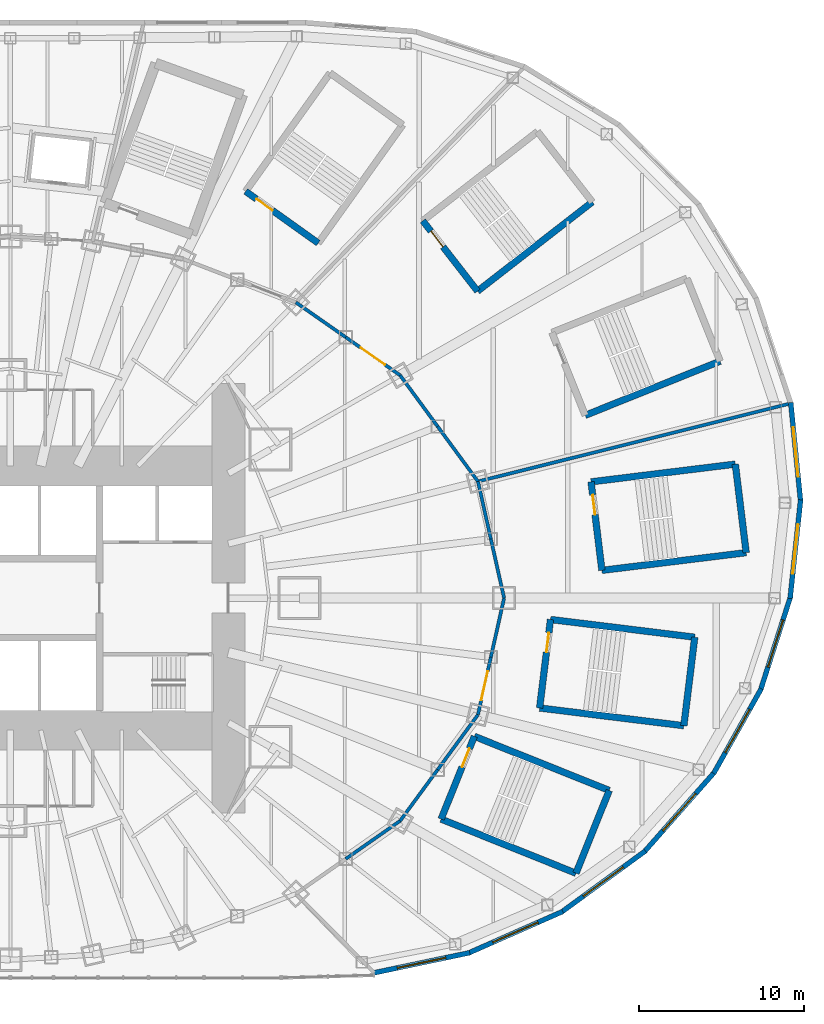
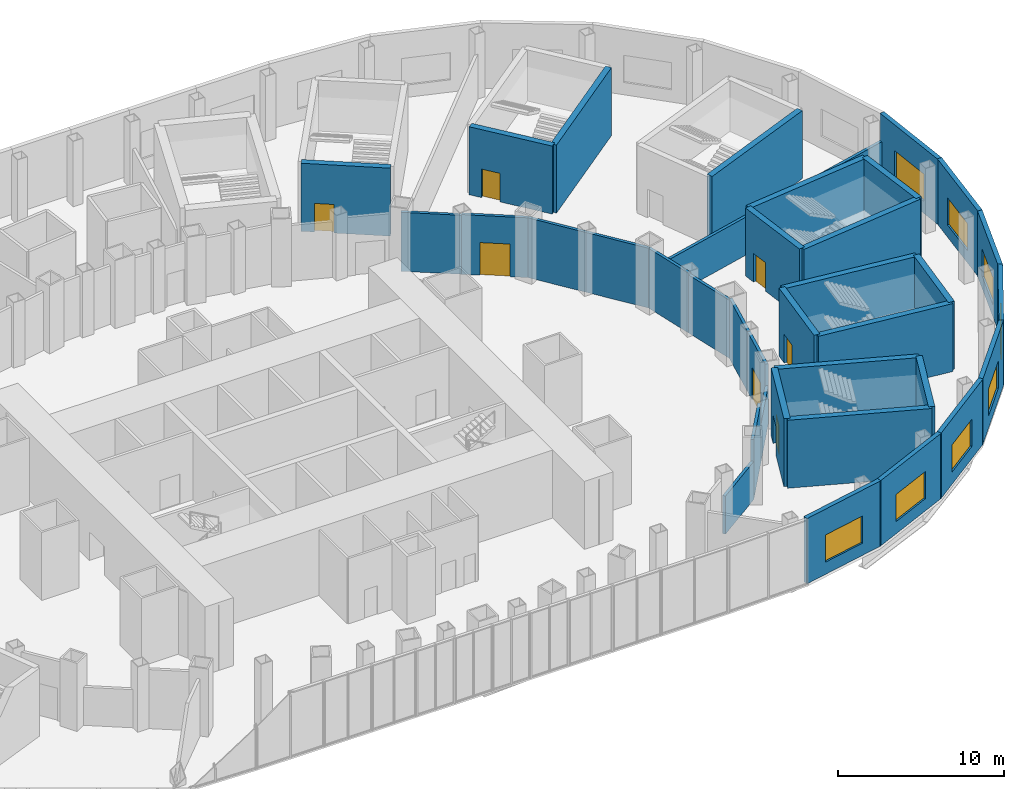
# One storey, part 17 of 73: 36 walls, 8 windows, 7 doors, 15 openings.
"""IFC4 building model written with IfcOpenShell, lengths in metres."""

from ifc_helpers import new_model, si_unit, direction, frame, frame_2d, origin, place, context, subcontext, project, spatial, rectangle, extrude, material, layer, layer_set, type_object, element, fill, save


model = new_model("IFC4")

# Units and contexts
model_context = context("Model", 3, precision=1e-05, world=origin(), true_north=direction((0.0, 1.0)))
body_context = subcontext(model_context, "Body", "Model", "MODEL_VIEW")
ifc_project = project(units=[si_unit("LENGTHUNIT", "METRE"), si_unit("AREAUNIT", "SQUARE_METRE"), si_unit("VOLUMEUNIT", "CUBIC_METRE"), si_unit("PLANEANGLEUNIT", "RADIAN"), si_unit("MASSUNIT", "GRAM", prefix="KILO")], contexts=[model_context])

# Site, building, storey
site_placement = place(None, origin())
site = spatial("IfcSite", under=ifc_project, at=site_placement, CompositionType="ELEMENT")
building_placement = place(site_placement, origin())
building = spatial("IfcBuilding", under=site, at=building_placement, Name="Lantaw Convention Tower", CompositionType="ELEMENT")
storey_placement = place(building_placement, frame((0.0, 0.0, 27.0)))
storey = spatial("IfcBuildingStorey", under=building, at=storey_placement, Name="L04", CompositionType="ELEMENT", Elevation=27.0)

# Wall, opening, window
ifc_material_1 = material(Name="Precast concrete panel, pale aluminium rainscreen", Category="concrete")
ifc_layer_1 = layer(ifc_material_1, 0.300048828125)
ifc_layer_set_1 = layer_set([ifc_layer_1], Name="Podium external wall 300")
wall_type_1 = type_object("IfcWallType", Name="Podium external wall 300", PredefinedType="SOLIDWALL", material=ifc_layer_set_1)
wall_1_placement = place(storey_placement, frame((47.21923828125, -0.02392578125, 0.0), z_axis=(0.0, 0.0, 1.0), x_axis=(0.105835648981, 0.99438363593, 0.0)))
wall_1 = element("IfcWall", 1, at=wall_1_placement, inside=storey, type_object=wall_type_1, Name="Podium facade wall", PredefinedType="SOLIDWALL", context=body_context, shape_type="SweptSolid", body=[
    extrude(rectangle(XDim=6.0068359375, YDim=0.300048828125, at=frame_2d((3.00341796875, 0.0))), origin(), (0.0, 0.0, 1.0), 4.800048828125),
])
opening_1_placement = place(wall_1_placement, frame((1.50341796875, 0.0, 0.89990234375)))
opening_1 = element("IfcOpeningElement", 2, at=opening_1_placement, cuts=wall_1, Name="Opening W3", PredefinedType="OPENING", context=body_context, shape_type="SweptSolid", body=[
    extrude(rectangle(XDim=3.0, YDim=2.0, at=frame_2d((1.5, 1.0))), frame((0.0, 0.159912109375, 0.0), z_axis=(0.0, -1.0, 0.0), x_axis=(1.0, 0.0, 0.0)), (0.0, 0.0, 1.0), 0.320068359375),
])
ifc_material_2 = material(Name="Aluminium frame, clear insulating glass", Category="aluminium")
window_type = type_object("IfcWindowType", Name="Podium window 3000x2000", PartitioningType="DOUBLE_PANEL_VERTICAL", PredefinedType="WINDOW", material=ifc_material_2)
window_1_placement = place(opening_1_placement, origin())
window_1 = element("IfcWindow", 3, at=window_1_placement, inside=storey, type_object=window_type, Name="Podium window", OverallHeight=2.0, OverallWidth=3.0, PartitioningType="SINGLE_PANEL", PredefinedType="WINDOW", context=body_context, shape_type="SweptSolid", body=[
    extrude(rectangle(XDim=3.0, YDim=2.0, at=frame_2d((1.5, 1.0))), frame((0.0, 0.030029296875, 0.0), z_axis=(0.0, -1.0, 0.0), x_axis=(1.0, 0.0, 0.0)), (0.0, 0.0, 1.0), 0.06005859375),
])
fill(opening_1, window_1)

wall_2_placement = place(storey_placement, frame((47.8544921875, 5.8388671875, 0.0), z_axis=(0.0, 0.0, 1.0), x_axis=(-0.099051198898, 0.9950823383, 0.0)))
wall_2 = element("IfcWall", 4, at=wall_2_placement, inside=storey, type_object=wall_type_1, Name="Podium facade wall", PredefinedType="SOLIDWALL", context=body_context, shape_type="SweptSolid", body=[
    extrude(rectangle(XDim=6.036376953125, YDim=0.300048828125, at=frame_2d((3.01806640625, 0.0))), origin(), (0.0, 0.0, 1.0), 4.800048828125),
])
opening_2_placement = place(wall_2_placement, frame((1.51806640625, 0.0, 0.89990234375)))
opening_2 = element("IfcOpeningElement", 5, at=opening_2_placement, cuts=wall_2, Name="Opening W3", PredefinedType="OPENING", context=body_context, shape_type="SweptSolid", body=[
    extrude(rectangle(XDim=3.0, YDim=2.0, at=frame_2d((1.5, 1.0))), frame((0.0, 0.159912109375, 0.0), z_axis=(0.0, -1.0, 0.0), x_axis=(1.0, 0.0, 0.0)), (0.0, 0.0, 1.0), 0.320068359375),
])
window_2_placement = place(opening_2_placement, origin())
window_2 = element("IfcWindow", 6, at=window_2_placement, inside=storey, type_object=window_type, Name="Podium window", OverallHeight=2.0, OverallWidth=3.0, PartitioningType="SINGLE_PANEL", PredefinedType="WINDOW", context=body_context, shape_type="SweptSolid", body=[
    extrude(rectangle(XDim=3.0, YDim=2.0, at=frame_2d((1.5, 1.0))), frame((0.0, 0.030029296875, 0.0), z_axis=(0.0, -1.0, 0.0), x_axis=(1.0, 0.0, 0.0)), (0.0, 0.0, 1.0), 0.06005859375),
])
fill(opening_2, window_2)

wall_3_placement = place(storey_placement, frame((21.985107421875, -22.699951171875, 0.0), z_axis=(0.0, 0.0, 1.0), x_axis=(0.978625319268, 0.205651366364, 0.0)))
wall_3 = element("IfcWall", 7, at=wall_3_placement, inside=storey, type_object=wall_type_1, Name="Podium facade wall", PredefinedType="SOLIDWALL", context=body_context, shape_type="SweptSolid", body=[
    extrude(rectangle(XDim=5.9619140625, YDim=0.300048828125, at=frame_2d((2.98095703125, 0.0))), origin(), (0.0, 0.0, 1.0), 4.800048828125),
])
opening_3_placement = place(wall_3_placement, frame((1.48095703125, 0.0, 0.89990234375)))
opening_3 = element("IfcOpeningElement", 8, at=opening_3_placement, cuts=wall_3, Name="Opening W3", PredefinedType="OPENING", context=body_context, shape_type="SweptSolid", body=[
    extrude(rectangle(XDim=3.0, YDim=2.0, at=frame_2d((1.5, 1.0))), frame((0.0, 0.159912109375, 0.0), z_axis=(0.0, -1.0, 0.0), x_axis=(1.0, 0.0, 0.0)), (0.0, 0.0, 1.0), 0.320068359375),
])
window_3_placement = place(opening_3_placement, origin())
window_3 = element("IfcWindow", 9, at=window_3_placement, inside=storey, type_object=window_type, Name="Podium window", OverallHeight=2.0, OverallWidth=3.0, PartitioningType="SINGLE_PANEL", PredefinedType="WINDOW", context=body_context, shape_type="SweptSolid", body=[
    extrude(rectangle(XDim=3.0, YDim=2.0, at=frame_2d((1.5, 1.0))), frame((0.0, 0.030029296875, 0.0), z_axis=(0.0, -1.0, 0.0), x_axis=(1.0, 0.0, 0.0)), (0.0, 0.0, 1.0), 0.06005859375),
])
fill(opening_3, window_3)

wall_4_placement = place(storey_placement, frame((27.714111328125, -21.5078125, 0.0), z_axis=(0.0, 0.0, 1.0), x_axis=(0.914855209389, 0.403782052416, 0.0)))
wall_4 = element("IfcWall", 10, at=wall_4_placement, inside=storey, type_object=wall_type_1, Name="Podium facade wall", PredefinedType="SOLIDWALL", context=body_context, shape_type="SweptSolid", body=[
    extrude(rectangle(XDim=6.271240234375, YDim=0.300048828125, at=frame_2d((3.1357421875, 0.0))), origin(), (0.0, 0.0, 1.0), 4.800048828125),
])
opening_4_placement = place(wall_4_placement, frame((1.6357421875, 0.0, 0.89990234375)))
opening_4 = element("IfcOpeningElement", 11, at=opening_4_placement, cuts=wall_4, Name="Opening W3", PredefinedType="OPENING", context=body_context, shape_type="SweptSolid", body=[
    extrude(rectangle(XDim=3.0, YDim=2.0, at=frame_2d((1.5, 1.0))), frame((0.0, 0.159912109375, 0.0), z_axis=(0.0, -1.0, 0.0), x_axis=(1.0, 0.0, 0.0)), (0.0, 0.0, 1.0), 0.320068359375),
])
window_4_placement = place(opening_4_placement, origin())
window_4 = element("IfcWindow", 12, at=window_4_placement, inside=storey, type_object=window_type, Name="Podium window", OverallHeight=2.0, OverallWidth=3.0, PartitioningType="SINGLE_PANEL", PredefinedType="WINDOW", context=body_context, shape_type="SweptSolid", body=[
    extrude(rectangle(XDim=3.0, YDim=2.0, at=frame_2d((1.5, 1.0))), frame((0.0, 0.030029296875, 0.0), z_axis=(0.0, -1.0, 0.0), x_axis=(1.0, 0.0, 0.0)), (0.0, 0.0, 1.0), 0.06005859375),
])
fill(opening_4, window_4)

wall_5_placement = place(storey_placement, frame((33.354736328125, -19.03125, 0.0), z_axis=(0.0, 0.0, 1.0), x_axis=(0.807898511933, 0.589321639189, 0.0)))
wall_5 = element("IfcWall", 13, at=wall_5_placement, inside=storey, type_object=wall_type_1, Name="Podium facade wall", PredefinedType="SOLIDWALL", context=body_context, shape_type="SweptSolid", body=[
    extrude(rectangle(XDim=6.30859375, YDim=0.300048828125, at=frame_2d((3.154296875, 0.0))), origin(), (0.0, 0.0, 1.0), 4.800048828125),
])
opening_5_placement = place(wall_5_placement, frame((1.654296875, 0.0, 0.89990234375)))
opening_5 = element("IfcOpeningElement", 14, at=opening_5_placement, cuts=wall_5, Name="Opening W3", PredefinedType="OPENING", context=body_context, shape_type="SweptSolid", body=[
    extrude(rectangle(XDim=3.0, YDim=2.0, at=frame_2d((1.5, 1.0))), frame((0.0, 0.159912109375, 0.0), z_axis=(0.0, -1.0, 0.0), x_axis=(1.0, 0.0, 0.0)), (0.0, 0.0, 1.0), 0.320068359375),
])
window_5_placement = place(opening_5_placement, origin())
window_5 = element("IfcWindow", 15, at=window_5_placement, inside=storey, type_object=window_type, Name="Podium window", OverallHeight=2.0, OverallWidth=3.0, PartitioningType="SINGLE_PANEL", PredefinedType="WINDOW", context=body_context, shape_type="SweptSolid", body=[
    extrude(rectangle(XDim=3.0, YDim=2.0, at=frame_2d((1.5, 1.0))), frame((0.0, 0.030029296875, 0.0), z_axis=(0.0, -1.0, 0.0), x_axis=(1.0, 0.0, 0.0)), (0.0, 0.0, 1.0), 0.06005859375),
])
fill(opening_5, window_5)

wall_6_placement = place(storey_placement, frame((38.368408203125, -15.38916015625, 0.0), z_axis=(0.0, 0.0, 1.0), x_axis=(0.661196672464, 0.75021261008, 0.0)))
wall_6 = element("IfcWall", 16, at=wall_6_placement, inside=storey, type_object=wall_type_1, Name="Podium facade wall", PredefinedType="SOLIDWALL", context=body_context, shape_type="SweptSolid", body=[
    extrude(rectangle(XDim=6.48095703125, YDim=0.300048828125, at=frame_2d((3.240478515625, 0.0))), origin(), (0.0, 0.0, 1.0), 4.800048828125),
])
opening_6_placement = place(wall_6_placement, frame((1.740478515625, 0.0, 0.89990234375)))
opening_6 = element("IfcOpeningElement", 17, at=opening_6_placement, cuts=wall_6, Name="Opening W3", PredefinedType="OPENING", context=body_context, shape_type="SweptSolid", body=[
    extrude(rectangle(XDim=3.0, YDim=2.0, at=frame_2d((1.5, 1.0))), frame((0.0, 0.159912109375, 0.0), z_axis=(0.0, -1.0, 0.0), x_axis=(1.0, 0.0, 0.0)), (0.0, 0.0, 1.0), 0.320068359375),
])
window_6_placement = place(opening_6_placement, origin())
window_6 = element("IfcWindow", 18, at=window_6_placement, inside=storey, type_object=window_type, Name="Podium window", OverallHeight=2.0, OverallWidth=3.0, PartitioningType="SINGLE_PANEL", PredefinedType="WINDOW", context=body_context, shape_type="SweptSolid", body=[
    extrude(rectangle(XDim=3.0, YDim=2.0, at=frame_2d((1.5, 1.0))), frame((0.0, 0.030029296875, 0.0), z_axis=(0.0, -1.0, 0.0), x_axis=(1.0, 0.0, 0.0)), (0.0, 0.0, 1.0), 0.06005859375),
])
fill(opening_6, window_6)

wall_7_placement = place(storey_placement, frame((42.58935546875, -10.61767578125, 0.0), z_axis=(0.0, 0.0, 1.0), x_axis=(0.489563544979, 0.871967622924, 0.0)))
wall_7 = element("IfcWall", 19, at=wall_7_placement, inside=storey, type_object=wall_type_1, Name="Podium facade wall", PredefinedType="SOLIDWALL", context=body_context, shape_type="SweptSolid", body=[
    extrude(rectangle(XDim=5.882568359375, YDim=0.300048828125, at=frame_2d((2.94140625, 0.0))), origin(), (0.0, 0.0, 1.0), 4.800048828125),
])
opening_7_placement = place(wall_7_placement, frame((1.44140625, 0.0, 0.89990234375)))
opening_7 = element("IfcOpeningElement", 20, at=opening_7_placement, cuts=wall_7, Name="Opening W3", PredefinedType="OPENING", context=body_context, shape_type="SweptSolid", body=[
    extrude(rectangle(XDim=3.0, YDim=2.0, at=frame_2d((1.5, 1.0))), frame((0.0, 0.159912109375, 0.0), z_axis=(0.0, -1.0, 0.0), x_axis=(1.0, 0.0, 0.0)), (0.0, 0.0, 1.0), 0.320068359375),
])
window_7_placement = place(opening_7_placement, origin())
window_7 = element("IfcWindow", 21, at=window_7_placement, inside=storey, type_object=window_type, Name="Podium window", OverallHeight=2.0, OverallWidth=3.0, PartitioningType="SINGLE_PANEL", PredefinedType="WINDOW", context=body_context, shape_type="SweptSolid", body=[
    extrude(rectangle(XDim=3.0, YDim=2.0, at=frame_2d((1.5, 1.0))), frame((0.0, 0.030029296875, 0.0), z_axis=(0.0, -1.0, 0.0), x_axis=(1.0, 0.0, 0.0)), (0.0, 0.0, 1.0), 0.06005859375),
])
fill(opening_7, window_7)

wall_8_placement = place(storey_placement, frame((45.42529296875, -5.5888671875, 0.0), z_axis=(0.0, 0.0, 1.0), x_axis=(0.304991367091, 0.95235511549, 0.0)))
wall_8 = element("IfcWall", 22, at=wall_8_placement, inside=storey, type_object=wall_type_1, Name="Podium facade wall", PredefinedType="SOLIDWALL", context=body_context, shape_type="SweptSolid", body=[
    extrude(rectangle(XDim=5.956298828125, YDim=0.300048828125, at=frame_2d((2.97802734375, 0.0))), origin(), (0.0, 0.0, 1.0), 4.800048828125),
])
opening_8_placement = place(wall_8_placement, frame((1.478271484375, 0.0, 0.89990234375)))
opening_8 = element("IfcOpeningElement", 23, at=opening_8_placement, cuts=wall_8, Name="Opening W3", PredefinedType="OPENING", context=body_context, shape_type="SweptSolid", body=[
    extrude(rectangle(XDim=3.0, YDim=2.0, at=frame_2d((1.5, 1.0))), frame((0.0, 0.159912109375, 0.0), z_axis=(0.0, -1.0, 0.0), x_axis=(1.0, 0.0, 0.0)), (0.0, 0.0, 1.0), 0.320068359375),
])
window_8_placement = place(opening_8_placement, origin())
window_8 = element("IfcWindow", 24, at=window_8_placement, inside=storey, type_object=window_type, Name="Podium window", OverallHeight=2.0, OverallWidth=3.0, PartitioningType="SINGLE_PANEL", PredefinedType="WINDOW", context=body_context, shape_type="SweptSolid", body=[
    extrude(rectangle(XDim=3.0, YDim=2.0, at=frame_2d((1.5, 1.0))), frame((0.0, 0.030029296875, 0.0), z_axis=(0.0, -1.0, 0.0), x_axis=(1.0, 0.0, 0.0)), (0.0, 0.0, 1.0), 0.06005859375),
])
fill(opening_8, window_8)

# Walls
ifc_material_3 = material(Name="Concrete blockwork", Category="masonry")
ifc_layer_2 = layer(ifc_material_3, 0.199951171875)
ifc_layer_set_2 = layer_set([ifc_layer_2], Name="Podium partition 200")
wall_type_2 = type_object("IfcWallType", Name="Podium partition 200", PredefinedType="SOLIDWALL", material=ifc_layer_set_2)
wall_9_placement = place(storey_placement, frame((29.89990234375, 0.0, 0.0), z_axis=(0.0, 0.0, 1.0), x_axis=(-0.218631550323, 0.975807483679, 0.0)))
element("IfcWall", 25, at=wall_9_placement, inside=storey, type_object=wall_type_2, Name="Podium partition 200", PredefinedType="SOLIDWALL", context=body_context, shape_type="SweptSolid", body=[
    extrude(rectangle(XDim=3.66162109375, YDim=0.199951171875, at=frame_2d((1.830810546875, 0.0))), origin(), (0.0, 0.0, 1.0), 4.271728515625),
])
wall_10_placement = place(storey_placement, frame((29.099365234375, 3.572998046875, 0.0), z_axis=(0.0, 0.0, 1.0), x_axis=(-0.218673326171, 0.97579812278, 0.0)))
element("IfcWall", 26, at=wall_10_placement, inside=storey, type_object=wall_type_2, Name="Podium partition 200", PredefinedType="SOLIDWALL", context=body_context, shape_type="SweptSolid", body=[
    extrude(rectangle(XDim=3.57373046875, YDim=0.199951171875, at=frame_2d((1.786865234375, 0.0))), origin(), (0.0, 0.0, 1.0), 4.3935546875),
])
wall_11_placement = place(storey_placement, frame((28.31787109375, 7.060302734375, 0.0), z_axis=(0.0, 0.0, 1.0), x_axis=(-0.591255937291, 0.806483984105, 0.0)))
element("IfcWall", 27, at=wall_11_placement, inside=storey, type_object=wall_type_2, Name="Podium partition 200", PredefinedType="SOLIDWALL", context=body_context, shape_type="SweptSolid", body=[
    extrude(rectangle(XDim=4.126708984375, YDim=0.199951171875, at=frame_2d((2.0634765625, 0.0))), origin(), (0.0, 0.0, 1.0), 4.396240234375),
])
wall_12_placement = place(storey_placement, frame((25.8779296875, 10.388427734375, 0.0), z_axis=(0.0, 0.0, 1.0), x_axis=(-0.591286566758, 0.806461527893, 0.0)))
element("IfcWall", 28, at=wall_12_placement, inside=storey, type_object=wall_type_2, Name="Podium partition 200", PredefinedType="SOLIDWALL", context=body_context, shape_type="SweptSolid", body=[
    extrude(rectangle(XDim=3.843994140625, YDim=0.199951171875, at=frame_2d((1.921875, 0.0))), origin(), (0.0, 0.0, 1.0), 4.3935546875),
])

# Wall, opening, door
wall_13_placement = place(storey_placement, frame((23.60498046875, 13.488525390625, 0.0), z_axis=(0.0, 0.0, 1.0), x_axis=(-0.819442856133, 0.573160889744, 0.0)))
wall_13 = element("IfcWall", 29, at=wall_13_placement, inside=storey, type_object=wall_type_2, Name="Podium partition 200", PredefinedType="SOLIDWALL", context=body_context, shape_type="SweptSolid", body=[
    extrude(rectangle(XDim=4.022705078125, YDim=0.199951171875, at=frame_2d((2.01123046875, 0.0))), origin(), (0.0, 0.0, 1.0), 4.3935546875),
])
opening_9_placement = place(wall_13_placement, frame((1.111328125, 0.0, 0.0)))
opening_9 = element("IfcOpeningElement", 30, at=opening_9_placement, cuts=wall_13, Name="Opening L04.12", PredefinedType="OPENING", context=body_context, shape_type="SweptSolid", body=[
    extrude(rectangle(XDim=1.800048828125, YDim=2.39990234375, at=frame_2d((0.89990234375, 1.199951171875))), frame((0.0, 0.10986328125, 0.0), z_axis=(0.0, -1.0, 0.0), x_axis=(1.0, 0.0, 0.0)), (0.0, 0.0, 1.0), 0.219970703125),
])
ifc_material_4 = material(Name="Timber", Category="wood")
door_type_1 = type_object("IfcDoorType", Name="Hall double door 1800", OperationType="DOUBLE_DOOR_DOUBLE_SWING", PredefinedType="DOOR", material=ifc_material_4)
door_1_placement = place(opening_9_placement, origin())
door_1 = element("IfcDoor", 31, at=door_1_placement, inside=storey, type_object=door_type_1, Name="Convention office door", OperationType="DOUBLE_DOOR_DOUBLE_SWING", OverallHeight=2.39990234375, OverallWidth=1.800048828125, PredefinedType="DOOR", context=body_context, shape_type="SweptSolid", body=[
    extrude(rectangle(XDim=1.800048828125, YDim=2.39990234375, at=frame_2d((0.89990234375, 1.199951171875))), frame((0.0, 0.02490234375, 0.0), z_axis=(0.0, -1.0, 0.0), x_axis=(1.0, 0.0, 0.0)), (0.0, 0.0, 1.0), 0.050048828125),
])
fill(opening_9, door_1)

# Walls
wall_14_placement = place(storey_placement, frame((20.30859375, 15.794189453125, 0.0), z_axis=(0.0, 0.0, 1.0), x_axis=(-0.819409395821, 0.573208724672, 0.0)))
element("IfcWall", 32, at=wall_14_placement, inside=storey, type_object=wall_type_2, Name="Podium partition 200", PredefinedType="SOLIDWALL", context=body_context, shape_type="SweptSolid", body=[
    extrude(rectangle(XDim=3.682861328125, YDim=0.199951171875, at=frame_2d((1.84130859375, 0.0))), origin(), (0.0, 0.0, 1.0), 4.337646484375),
])
wall_15_placement = place(storey_placement, frame((20.308837890625, -15.794189453125, 0.0), z_axis=(0.0, 0.0, 1.0), x_axis=(0.81942291701, 0.57318939547, 0.0)))
element("IfcWall", 33, at=wall_15_placement, inside=storey, type_object=wall_type_2, Name="Podium partition 200", PredefinedType="SOLIDWALL", context=body_context, shape_type="SweptSolid", body=[
    extrude(rectangle(XDim=4.0224609375, YDim=0.199951171875, at=frame_2d((2.01123046875, 0.0))), origin(), (0.0, 0.0, 1.0), 2.800048828125),
])
wall_16_placement = place(storey_placement, frame((23.60498046875, -13.488525390625, 0.0), z_axis=(0.0, 0.0, 1.0), x_axis=(0.591286566758, 0.806461527893, 0.0)))
element("IfcWall", 34, at=wall_16_placement, inside=storey, type_object=wall_type_2, Name="Podium partition 200", PredefinedType="SOLIDWALL", context=body_context, shape_type="SweptSolid", body=[
    extrude(rectangle(XDim=3.843994140625, YDim=0.199951171875, at=frame_2d((1.921875, 0.0))), origin(), (0.0, 0.0, 1.0), 4.396240234375),
])
wall_17_placement = place(storey_placement, frame((25.8779296875, -10.388427734375, 0.0), z_axis=(0.0, 0.0, 1.0), x_axis=(0.591255937291, 0.806483984105, 0.0)))
element("IfcWall", 35, at=wall_17_placement, inside=storey, type_object=wall_type_2, Name="Podium partition 200", PredefinedType="SOLIDWALL", context=body_context, shape_type="SweptSolid", body=[
    extrude(rectangle(XDim=4.126708984375, YDim=0.199951171875, at=frame_2d((2.0634765625, 0.0))), origin(), (0.0, 0.0, 1.0), 2.800048828125),
])

# Wall, opening, door
wall_18_placement = place(storey_placement, frame((28.31787109375, -7.060302734375, 0.0), z_axis=(0.0, 0.0, 1.0), x_axis=(0.218673326171, 0.97579812278, 0.0)))
wall_18 = element("IfcWall", 36, at=wall_18_placement, inside=storey, type_object=wall_type_2, Name="Podium partition 200", PredefinedType="SOLIDWALL", context=body_context, shape_type="SweptSolid", body=[
    extrude(rectangle(XDim=3.57373046875, YDim=0.199951171875, at=frame_2d((1.786865234375, 0.0))), origin(), (0.0, 0.0, 1.0), 4.396240234375),
])
opening_10_placement = place(wall_18_placement, frame((0.886962890625, 0.0, 0.0)))
opening_10 = element("IfcOpeningElement", 37, at=opening_10_placement, cuts=wall_18, Name="Opening L04.11", PredefinedType="OPENING", context=body_context, shape_type="SweptSolid", body=[
    extrude(rectangle(XDim=1.800048828125, YDim=2.39990234375, at=frame_2d((0.89990234375, 1.199951171875))), frame((0.0, 0.10986328125, 0.0), z_axis=(0.0, -1.0, 0.0), x_axis=(1.0, 0.0, 0.0)), (0.0, 0.0, 1.0), 0.219970703125),
])
door_2_placement = place(opening_10_placement, origin())
door_2 = element("IfcDoor", 38, at=door_2_placement, inside=storey, type_object=door_type_1, Name="Convention office door", OperationType="DOUBLE_DOOR_DOUBLE_SWING", OverallHeight=2.39990234375, OverallWidth=1.800048828125, PredefinedType="DOOR", context=body_context, shape_type="SweptSolid", body=[
    extrude(rectangle(XDim=1.800048828125, YDim=2.39990234375, at=frame_2d((0.89990234375, 1.199951171875))), frame((0.0, 0.02490234375, 0.0), z_axis=(0.0, -1.0, 0.0), x_axis=(1.0, 0.0, 0.0)), (0.0, 0.0, 1.0), 0.050048828125),
])
fill(opening_10, door_2)

# Walls
wall_19_placement = place(storey_placement, frame((29.099365234375, -3.572998046875, 0.0), z_axis=(0.0, 0.0, 1.0), x_axis=(0.218631550323, 0.975807483679, 0.0)))
element("IfcWall", 39, at=wall_19_placement, inside=storey, type_object=wall_type_2, Name="Podium partition 200", PredefinedType="SOLIDWALL", context=body_context, shape_type="SweptSolid", body=[
    extrude(rectangle(XDim=3.66162109375, YDim=0.199951171875, at=frame_2d((1.830810546875, 0.0))), origin(), (0.0, 0.0, 1.0), 4.3935546875),
])
wall_20_placement = place(storey_placement, frame((28.31787109375, 7.060302734375, 0.0), z_axis=(0.0, 0.0, 1.0), x_axis=(0.970227758662, 0.242194335859, 0.0)))
element("IfcWall", 40, at=wall_20_placement, inside=storey, type_object=wall_type_2, Name="Podium partition 200", PredefinedType="SOLIDWALL", context=body_context, shape_type="SweptSolid", body=[
    extrude(rectangle(XDim=19.525634765625, YDim=0.199951171875, at=frame_2d((9.7626953125, 0.0))), origin(), (0.0, 0.0, 1.0), 2.800048828125),
])
ifc_material_5 = material(Name="Concrete C40/50, stair core", Category="concrete")
ifc_layer_3 = layer(ifc_material_5, 0.39990234375)
ifc_layer_set_3 = layer_set([ifc_layer_3], Name="Stair enclosure wall 400 EI 120")
wall_type_3 = type_object("IfcWallType", Name="Stair enclosure wall 400 EI 120", PredefinedType="SHEAR", material=ifc_layer_set_3)
wall_21_placement = place(storey_placement, frame((35.82275390625, 1.67822265625, 0.0), z_axis=(0.0, 0.0, 1.0), x_axis=(0.992545280606, 0.121876437212, 0.0)))
element("IfcWall", 41, at=wall_21_placement, inside=storey, type_object=wall_type_3, Name="Stair enclosure wall", PredefinedType="SHEAR", context=body_context, shape_type="SweptSolid", body=[
    extrude(rectangle(XDim=8.800048828125, YDim=0.39990234375, at=frame_2d((4.39990234375, 0.0))), origin(), (0.0, 0.0, 1.0), 5.0),
])
wall_22_placement = place(storey_placement, frame((44.55712890625, 2.750732421875, 0.0), z_axis=(0.0, 0.0, 1.0), x_axis=(-0.12184754212, 0.99254882826, 0.0)))
element("IfcWall", 42, at=wall_22_placement, inside=storey, type_object=wall_type_3, Name="Stair enclosure wall", PredefinedType="SHEAR", context=body_context, shape_type="SweptSolid", body=[
    extrude(rectangle(XDim=5.39990234375, YDim=0.39990234375, at=frame_2d((2.699951171875, 0.0))), origin(), (0.0, 0.0, 1.0), 5.0),
])
wall_23_placement = place(storey_placement, frame((43.899169921875, 8.1103515625, 0.0), z_axis=(0.0, 0.0, 1.0), x_axis=(-0.992545280606, -0.121876437212, 0.0)))
element("IfcWall", 43, at=wall_23_placement, inside=storey, type_object=wall_type_3, Name="Stair enclosure wall", PredefinedType="SHEAR", context=body_context, shape_type="SweptSolid", body=[
    extrude(rectangle(XDim=8.800048828125, YDim=0.39990234375, at=frame_2d((4.39990234375, 0.0))), origin(), (0.0, 0.0, 1.0), 5.0),
])

# Wall, opening, door
wall_24_placement = place(storey_placement, frame((35.164794921875, 7.037841796875, 0.0), z_axis=(0.0, 0.0, 1.0), x_axis=(0.12184754212, -0.99254882826, 0.0)))
wall_24 = element("IfcWall", 44, at=wall_24_placement, inside=storey, type_object=wall_type_3, Name="Stair enclosure wall", PredefinedType="SHEAR", context=body_context, shape_type="SweptSolid", body=[
    extrude(rectangle(XDim=5.39990234375, YDim=0.39990234375, at=frame_2d((2.699951171875, 0.0))), origin(), (0.0, 0.0, 1.0), 5.0),
])
opening_11_placement = place(wall_24_placement, frame((0.800048828125, 0.0, 0.0)))
opening_11 = element("IfcOpeningElement", 45, at=opening_11_placement, cuts=wall_24, Name="Opening L04.P1", PredefinedType="OPENING", context=body_context, shape_type="SweptSolid", body=[
    extrude(rectangle(XDim=1.199951171875, YDim=2.10009765625, at=frame_2d((0.60009765625, 1.050048828125))), frame((0.0, 0.2099609375, 0.0), z_axis=(0.0, -1.0, 0.0), x_axis=(1.0, 0.0, 0.0)), (0.0, 0.0, 1.0), 0.419921875),
])
ifc_material_6 = material(Name="Steel, fire rated", Category="steel")
door_type_2 = type_object("IfcDoorType", Name="Stair door FD90", OperationType="SINGLE_SWING_RIGHT", PredefinedType="DOOR", material=ifc_material_6)
door_3_placement = place(opening_11_placement, origin())
door_3 = element("IfcDoor", 46, at=door_3_placement, inside=storey, type_object=door_type_2, Name="Exit stair door", OperationType="SINGLE_SWING_RIGHT", OverallHeight=2.10009765625, OverallWidth=1.199951171875, PredefinedType="DOOR", context=body_context, shape_type="SweptSolid", body=[
    extrude(rectangle(XDim=1.199951171875, YDim=2.10009765625, at=frame_2d((0.60009765625, 1.050048828125))), frame((0.0, 0.02490234375, 0.0), z_axis=(0.0, -1.0, 0.0), x_axis=(1.0, 0.0, 0.0)), (0.0, 0.0, 1.0), 0.050048828125),
])
fill(opening_11, door_3)

# Walls
for number, where, z_axis, x_axis, name in (
    (47, (34.811767578125, 11.0654296875, 0.0), (0.0, 0.0, 1.0), (0.92801678004, 0.372538395288, 0.0), "Stair enclosure wall"),
    (48, (28.292724609375, 18.5830078125, 0.0), (0.0, 0.0, 1.0), (0.78938060008, 0.613904119726, 0.0), "Stair enclosure wall"),
):
    element("IfcWall", number, at=place(storey_placement, frame(where, z_axis=z_axis, x_axis=x_axis)), inside=storey, type_object=wall_type_3, Name=name, PredefinedType="SHEAR", context=body_context, shape_type="SweptSolid", body=[
        extrude(rectangle(XDim=8.800048828125, YDim=0.39990234375, at=frame_2d((4.39990234375, 0.0))), origin(), (0.0, 0.0, 1.0), 5.0),
    ])

# Wall, opening, door
wall_25_placement = place(storey_placement, frame((24.9775390625, 22.845703125, 0.0), z_axis=(0.0, 0.0, 1.0), x_axis=(0.613912443548, -0.789374126544, 0.0)))
wall_25 = element("IfcWall", 49, at=wall_25_placement, inside=storey, type_object=wall_type_3, Name="Stair enclosure wall", PredefinedType="SHEAR", context=body_context, shape_type="SweptSolid", body=[
    extrude(rectangle(XDim=5.400146484375, YDim=0.39990234375, at=frame_2d((2.7001953125, 0.0))), origin(), (0.0, 0.0, 1.0), 5.0),
])
opening_12_placement = place(wall_25_placement, frame((0.800048828125, 0.0, 0.0)))
opening_12 = element("IfcOpeningElement", 50, at=opening_12_placement, cuts=wall_25, Name="Opening L04.P3", PredefinedType="OPENING", context=body_context, shape_type="SweptSolid", body=[
    extrude(rectangle(XDim=1.199951171875, YDim=2.10009765625, at=frame_2d((0.60009765625, 1.050048828125))), frame((0.0, 0.2099609375, 0.0), z_axis=(0.0, -1.0, 0.0), x_axis=(1.0, 0.0, 0.0)), (0.0, 0.0, 1.0), 0.419921875),
])
door_4_placement = place(opening_12_placement, origin())
door_4 = element("IfcDoor", 51, at=door_4_placement, inside=storey, type_object=door_type_2, Name="Exit stair door", OperationType="SINGLE_SWING_RIGHT", OverallHeight=2.10009765625, OverallWidth=1.199951171875, PredefinedType="DOOR", context=body_context, shape_type="SweptSolid", body=[
    extrude(rectangle(XDim=1.199951171875, YDim=2.10009765625, at=frame_2d((0.60009765625, 1.050048828125))), frame((0.0, 0.02490234375, 0.0), z_axis=(0.0, -1.0, 0.0), x_axis=(1.0, 0.0, 0.0)), (0.0, 0.0, 1.0), 0.050048828125),
])
fill(opening_12, door_4)

wall_26_placement = place(storey_placement, frame((14.2509765625, 24.628662109375, 0.0), z_axis=(0.0, 0.0, 1.0), x_axis=(0.814121252423, -0.580694916762, 0.0)))
wall_26 = element("IfcWall", 52, at=wall_26_placement, inside=storey, type_object=wall_type_3, Name="Stair enclosure wall", PredefinedType="SHEAR", context=body_context, shape_type="SweptSolid", body=[
    extrude(rectangle(XDim=5.39990234375, YDim=0.39990234375, at=frame_2d((2.699951171875, 0.0))), origin(), (0.0, 0.0, 1.0), 5.0),
])
opening_13_placement = place(wall_26_placement, frame((0.800048828125, 0.0, 0.0)))
opening_13 = element("IfcOpeningElement", 53, at=opening_13_placement, cuts=wall_26, Name="Opening L04.P4", PredefinedType="OPENING", context=body_context, shape_type="SweptSolid", body=[
    extrude(rectangle(XDim=1.199951171875, YDim=2.10009765625, at=frame_2d((0.60009765625, 1.050048828125))), frame((0.0, 0.2099609375, 0.0), z_axis=(0.0, -1.0, 0.0), x_axis=(1.0, 0.0, 0.0)), (0.0, 0.0, 1.0), 0.419921875),
])
door_5_placement = place(opening_13_placement, origin())
door_5 = element("IfcDoor", 54, at=door_5_placement, inside=storey, type_object=door_type_2, Name="Exit stair door", OperationType="SINGLE_SWING_RIGHT", OverallHeight=2.10009765625, OverallWidth=1.199951171875, PredefinedType="DOOR", context=body_context, shape_type="SweptSolid", body=[
    extrude(rectangle(XDim=1.199951171875, YDim=2.10009765625, at=frame_2d((0.60009765625, 1.050048828125))), frame((0.0, 0.02490234375, 0.0), z_axis=(0.0, -1.0, 0.0), x_axis=(1.0, 0.0, 0.0)), (0.0, 0.0, 1.0), 0.050048828125),
])
fill(opening_13, door_5)

# Walls
wall_27_placement = place(storey_placement, frame((26.0869140625, -13.3818359375, 0.0), z_axis=(0.0, 0.0, 1.0), x_axis=(0.92801678004, -0.372538395288, 0.0)))
element("IfcWall", 55, at=wall_27_placement, inside=storey, type_object=wall_type_3, Name="Stair enclosure wall", PredefinedType="SHEAR", context=body_context, shape_type="SweptSolid", body=[
    extrude(rectangle(XDim=8.800048828125, YDim=0.39990234375, at=frame_2d((4.39990234375, 0.0))), origin(), (0.0, 0.0, 1.0), 5.0),
])
wall_28_placement = place(storey_placement, frame((34.25341796875, -16.66015625, 0.0), z_axis=(0.0, 0.0, 1.0), x_axis=(0.372544066459, 0.928014503414, 0.0)))
element("IfcWall", 56, at=wall_28_placement, inside=storey, type_object=wall_type_3, Name="Stair enclosure wall", PredefinedType="SHEAR", context=body_context, shape_type="SweptSolid", body=[
    extrude(rectangle(XDim=5.39990234375, YDim=0.39990234375, at=frame_2d((2.699951171875, 0.0))), origin(), (0.0, 0.0, 1.0), 5.0),
])
wall_29_placement = place(storey_placement, frame((36.26513671875, -11.64892578125, 0.0), z_axis=(0.0, 0.0, 1.0), x_axis=(-0.928007188331, 0.372562287955, 0.0)))
element("IfcWall", 57, at=wall_29_placement, inside=storey, type_object=wall_type_3, Name="Stair enclosure wall", PredefinedType="SHEAR", context=body_context, shape_type="SweptSolid", body=[
    extrude(rectangle(XDim=8.800048828125, YDim=0.39990234375, at=frame_2d((4.39990234375, 0.0))), origin(), (0.0, 0.0, 1.0), 5.0),
])

# Wall, opening, door
wall_30_placement = place(storey_placement, frame((28.0986328125, -8.370361328125, 0.0), z_axis=(0.0, 0.0, 1.0), x_axis=(-0.372528436202, -0.928020777904, 0.0)))
wall_30 = element("IfcWall", 58, at=wall_30_placement, inside=storey, type_object=wall_type_3, Name="Stair enclosure wall", PredefinedType="SHEAR", context=body_context, shape_type="SweptSolid", body=[
    extrude(rectangle(XDim=5.400146484375, YDim=0.39990234375, at=frame_2d((2.7001953125, 0.0))), origin(), (0.0, 0.0, 1.0), 5.0),
])
opening_14_placement = place(wall_30_placement, frame((0.800048828125, 0.0, 0.0)))
opening_14 = element("IfcOpeningElement", 59, at=opening_14_placement, cuts=wall_30, Name="Opening L04.P12", PredefinedType="OPENING", context=body_context, shape_type="SweptSolid", body=[
    extrude(rectangle(XDim=1.199951171875, YDim=2.10009765625, at=frame_2d((0.60009765625, 1.050048828125))), frame((0.0, 0.2099609375, 0.0), z_axis=(0.0, -1.0, 0.0), x_axis=(1.0, 0.0, 0.0)), (0.0, 0.0, 1.0), 0.419921875),
])
door_6_placement = place(opening_14_placement, origin())
door_6 = element("IfcDoor", 60, at=door_6_placement, inside=storey, type_object=door_type_2, Name="Exit stair door", OperationType="SINGLE_SWING_RIGHT", OverallHeight=2.10009765625, OverallWidth=1.199951171875, PredefinedType="DOOR", context=body_context, shape_type="SweptSolid", body=[
    extrude(rectangle(XDim=1.199951171875, YDim=2.10009765625, at=frame_2d((0.60009765625, 1.050048828125))), frame((0.0, 0.02490234375, 0.0), z_axis=(0.0, -1.0, 0.0), x_axis=(1.0, 0.0, 0.0)), (0.0, 0.0, 1.0), 0.050048828125),
])
fill(opening_14, door_6)

# Walls
wall_31_placement = place(storey_placement, frame((32.050537109375, -6.655517578125, 0.0), z_axis=(0.0, 0.0, 1.0), x_axis=(0.992545280606, -0.121876437212, 0.0)))
element("IfcWall", 61, at=wall_31_placement, inside=storey, type_object=wall_type_3, Name="Stair enclosure wall", PredefinedType="SHEAR", context=body_context, shape_type="SweptSolid", body=[
    extrude(rectangle(XDim=8.800048828125, YDim=0.39990234375, at=frame_2d((4.39990234375, 0.0))), origin(), (0.0, 0.0, 1.0), 5.0),
])
wall_32_placement = place(storey_placement, frame((40.784912109375, -7.72802734375, 0.0), z_axis=(0.0, 0.0, 1.0), x_axis=(0.121892082937, 0.992543359314, 0.0)))
element("IfcWall", 62, at=wall_32_placement, inside=storey, type_object=wall_type_3, Name="Stair enclosure wall", PredefinedType="SHEAR", context=body_context, shape_type="SweptSolid", body=[
    extrude(rectangle(XDim=5.39990234375, YDim=0.39990234375, at=frame_2d((2.699951171875, 0.0))), origin(), (0.0, 0.0, 1.0), 5.0),
])
wall_33_placement = place(storey_placement, frame((41.443115234375, -2.368408203125, 0.0), z_axis=(0.0, 0.0, 1.0), x_axis=(-0.992545692684, 0.121873081252, 0.0)))
element("IfcWall", 63, at=wall_33_placement, inside=storey, type_object=wall_type_3, Name="Stair enclosure wall", PredefinedType="SHEAR", context=body_context, shape_type="SweptSolid", body=[
    extrude(rectangle(XDim=8.80029296875, YDim=0.39990234375, at=frame_2d((4.400146484375, 0.0))), origin(), (0.0, 0.0, 1.0), 5.0),
])

# Wall, opening, door
wall_34_placement = place(storey_placement, frame((32.70849609375, -1.2958984375, 0.0), z_axis=(0.0, 0.0, 1.0), x_axis=(-0.12184754212, -0.99254882826, 0.0)))
wall_34 = element("IfcWall", 64, at=wall_34_placement, inside=storey, type_object=wall_type_3, Name="Stair enclosure wall", PredefinedType="SHEAR", context=body_context, shape_type="SweptSolid", body=[
    extrude(rectangle(XDim=5.39990234375, YDim=0.39990234375, at=frame_2d((2.699951171875, 0.0))), origin(), (0.0, 0.0, 1.0), 5.0),
])
opening_15_placement = place(wall_34_placement, frame((0.800048828125, 0.0, 0.0)))
opening_15 = element("IfcOpeningElement", 65, at=opening_15_placement, cuts=wall_34, Name="Opening L04.P13", PredefinedType="OPENING", context=body_context, shape_type="SweptSolid", body=[
    extrude(rectangle(XDim=1.199951171875, YDim=2.10009765625, at=frame_2d((0.60009765625, 1.050048828125))), frame((0.0, 0.2099609375, 0.0), z_axis=(0.0, -1.0, 0.0), x_axis=(1.0, 0.0, 0.0)), (0.0, 0.0, 1.0), 0.419921875),
])
door_7_placement = place(opening_15_placement, origin())
door_7 = element("IfcDoor", 66, at=door_7_placement, inside=storey, type_object=door_type_2, Name="Exit stair door", OperationType="SINGLE_SWING_RIGHT", OverallHeight=2.10009765625, OverallWidth=1.199951171875, PredefinedType="DOOR", context=body_context, shape_type="SweptSolid", body=[
    extrude(rectangle(XDim=1.199951171875, YDim=2.10009765625, at=frame_2d((0.60009765625, 1.050048828125))), frame((0.0, 0.02490234375, 0.0), z_axis=(0.0, -1.0, 0.0), x_axis=(1.0, 0.0, 0.0)), (0.0, 0.0, 1.0), 0.050048828125),
])
fill(opening_15, door_7)

save(model, "model.ifc")
